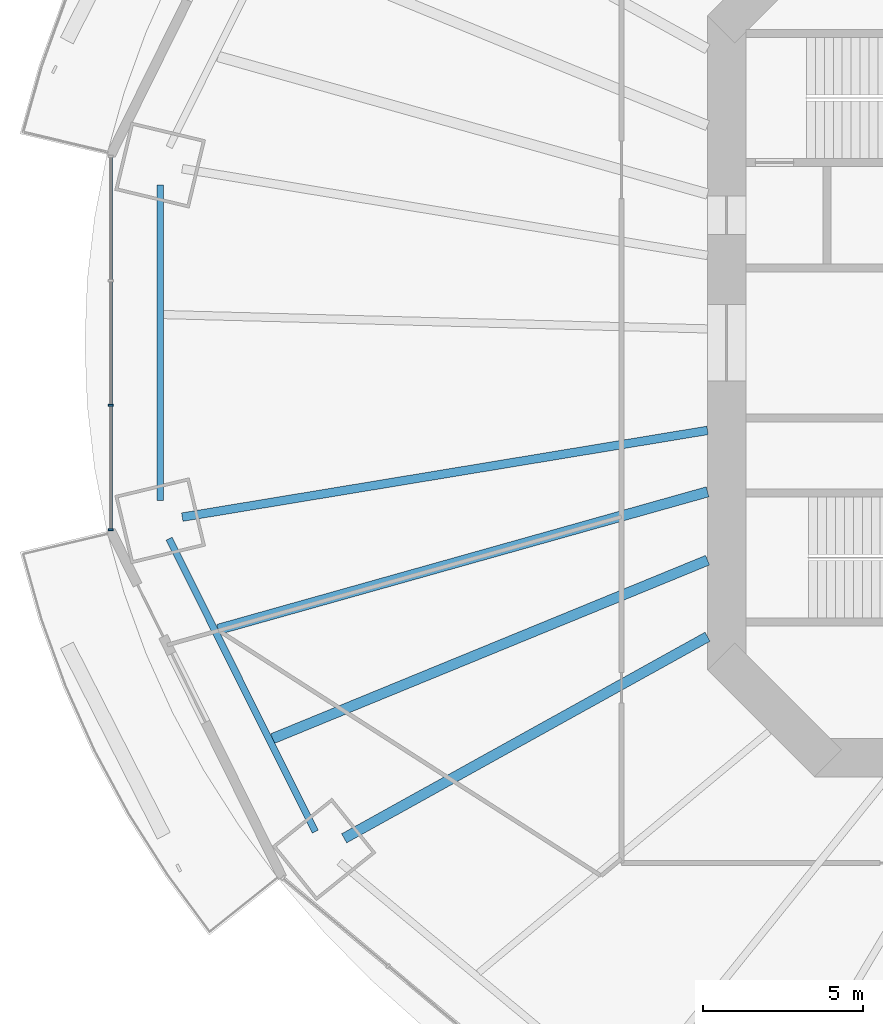
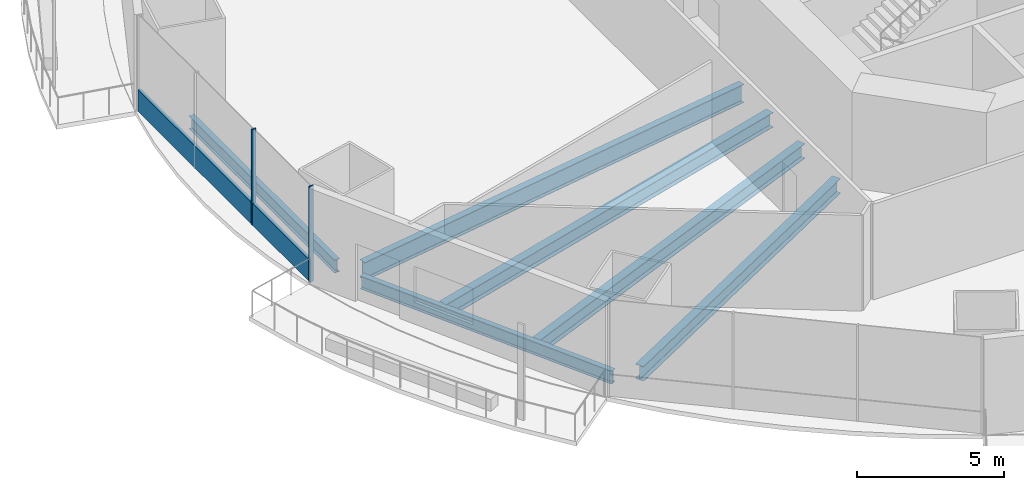
# One storey, part 3 of 23: 6 beams, 3 members, 1 element without a shape of its own.
"""IFC4 building model written with IfcOpenShell, lengths in metres."""

import ifcopenshell
import ifcopenshell.guid

model = None  # the IFC model being written
_history = None  # IfcOwnerHistory: only IFC2X3 demands one
_inside = {}  # id of a spatial element -> (the spatial element, [elements in it])
_under = {}  # id of a project, library or spatial element -> (it, [spatial elements below it])
_declared = {}  # id of a project -> (the project, [libraries it declares])
_typed = {}  # id of a type object -> (the type object, [elements of that type])
_made_of = {}  # id of a material, layer set ... -> (it, [elements and type objects made of it])


def new_model(schema):
    """Start an empty IFC model of exactly this schema.

    Asked for "IFC4X3", IfcOpenShell would pick the latest addendum, in which some entities
    have other attributes; the version numbers below select the first issue.
    IFC2X3 requires an IfcOwnerHistory on every rooted entity: one is made here for all.
    """
    global model, _history
    if schema == "IFC4X3":
        model = ifcopenshell.file(schema_version=(4, 3, 0, 0))
    else:
        model = ifcopenshell.file(schema=schema)
    _inside.clear()
    _under.clear()
    _declared.clear()
    _typed.clear()
    _made_of.clear()
    _history = None
    if model.schema == "IFC2X3":
        org = make("IfcOrganization", Name="unknown")
        user = make(
            "IfcPersonAndOrganization",
            ThePerson=make("IfcPerson", FamilyName="unknown"),
            TheOrganization=org,
        )
        app = make(
            "IfcApplication",
            ApplicationDeveloper=org,
            Version="unknown",
            ApplicationFullName="unknown",
            ApplicationIdentifier="unknown",
        )
        _history = make(
            "IfcOwnerHistory",
            OwningUser=user,
            OwningApplication=app,
            ChangeAction="ADDED",
            CreationDate=0,
        )
    return model


def make(cls, **values):
    """One entity of the class cls with the attributes given. An attribute that is None is left unset."""
    return model.create_entity(
        cls, **{name: value for name, value in values.items() if value is not None}
    )


def rooted(cls, **values):
    """An entity with a GlobalId (a new one), such as an element, a storey or a relation."""
    return make(cls, GlobalId=ifcopenshell.guid.new(), OwnerHistory=_history, **values)


def si_unit(unit_type, name, prefix=None):
    """IfcSIUnit, for example si_unit("LENGTHUNIT", "METRE", prefix="MILLI")."""
    return make("IfcSIUnit", UnitType=unit_type, Prefix=prefix, Name=name)


def assignment(units):
    """IfcUnitAssignment: the units of a project."""
    return None if units is None else make("IfcUnitAssignment", Units=units)


def point(xyz):
    """IfcCartesianPoint."""
    return None if xyz is None else make("IfcCartesianPoint", Coordinates=xyz)


def direction(xyz):
    """IfcDirection."""
    return None if xyz is None else make("IfcDirection", DirectionRatios=xyz)


def frame(location, z_axis=None, x_axis=None):
    """IfcAxis2Placement3D, a coordinate frame: its origin and axes. An axis left out is left unset."""
    return make(
        "IfcAxis2Placement3D",
        Location=point(location),
        Axis=direction(z_axis),
        RefDirection=direction(x_axis),
    )


def frame_2d(location, x_axis=None):
    """IfcAxis2Placement2D, a coordinate frame in the plane: its origin and x axis."""
    return make(
        "IfcAxis2Placement2D", Location=point(location), RefDirection=direction(x_axis)
    )


def origin():
    """The frame at (0, 0, 0) with its axes left unset."""
    return frame((0.0, 0.0, 0.0))


def origin_2d():
    """The frame at (0, 0) in the plane with its x axis left unset."""
    return frame_2d((0.0, 0.0))


def place(relative_to, where):
    """IfcLocalPlacement: puts the frame where relative to a parent placement (None: the world)."""
    return make(
        "IfcLocalPlacement", PlacementRelTo=relative_to, RelativePlacement=where
    )


def context(
    kind, dimensions, precision=None, world=None, true_north=None, identifier=None
):
    """IfcGeometricRepresentationContext, for example the 3D "Model" context."""
    return make(
        "IfcGeometricRepresentationContext",
        ContextIdentifier=identifier,
        ContextType=kind,
        CoordinateSpaceDimension=dimensions,
        Precision=precision,
        WorldCoordinateSystem=world,
        TrueNorth=true_north,
    )


def subcontext(parent, identifier, kind, view, scale=None):
    """IfcGeometricRepresentationSubContext, for example "Body" below "Model"."""
    return make(
        "IfcGeometricRepresentationSubContext",
        ContextIdentifier=identifier,
        ContextType=kind,
        ParentContext=parent,
        TargetScale=scale,
        TargetView=view,
    )


def project(units=None, contexts=None):
    """IfcProject with its units and contexts."""
    return rooted(
        "IfcProject",
        Name="project",
        RepresentationContexts=contexts,
        UnitsInContext=assignment(units),
    )


def spatial(cls, under=None, at=None, **own):
    """A site, building, storey or space (cls), placed at a placement, below another one or the project."""
    s = rooted(cls, ObjectPlacement=at, **own)
    if under is not None:
        _under.setdefault(under.id(), (under, []))[1].append(s)
    return s


def profile(cls, at=None, kind="AREA", **sizes):
    """A parametric profile (cls). Its sizes go by their IFC names, for example OverallWidth=200.0."""
    return make(cls, ProfileType=kind, Position=at, **sizes)


def rectangle(**sizes):
    """IfcRectangleProfileDef."""
    return profile("IfcRectangleProfileDef", **sizes)


def i_section(**sizes):
    """IfcIShapeProfileDef."""
    return profile("IfcIShapeProfileDef", **sizes)


def extrude(swept, where, along, depth):
    """IfcExtrudedAreaSolid: the profile swept, set in the frame where, extruded along a direction by depth."""
    return make(
        "IfcExtrudedAreaSolid",
        SweptArea=swept,
        Position=where,
        ExtrudedDirection=direction(along),
        Depth=depth,
    )


def shape(context_of_items, identifier, shape_type, items):
    """IfcShapeRepresentation: the items that make up one representation, for example the "Body"."""
    return make(
        "IfcShapeRepresentation",
        ContextOfItems=context_of_items,
        RepresentationIdentifier=identifier,
        RepresentationType=shape_type,
        Items=items,
    )


def material(Name=None, Category=None):
    """IfcMaterial."""
    return make("IfcMaterial", Name=Name, Category=Category)


def material_profile(
    of_material, cross_section, Name=None, Category=None, Priority=None
):
    """IfcMaterialProfile: a cross section and its material."""
    return make(
        "IfcMaterialProfile",
        Name=Name,
        Material=of_material,
        Profile=cross_section,
        Priority=Priority,
        Category=Category,
    )


def profile_set(profiles, Name=None, composite=None):
    """IfcMaterialProfileSet."""
    return make(
        "IfcMaterialProfileSet",
        Name=Name,
        MaterialProfiles=profiles,
        CompositeProfile=composite,
    )


def made_of(thing, what):
    """Note that an element or type object is made of a material, layer set ...; save() writes the relation."""
    if what is not None:
        _made_of.setdefault(what.id(), (what, []))[1].append(thing)
    return thing


def type_object(cls, material=None, **own):
    """A type object (cls), such as IfcWallType, which elements share."""
    return made_of(rooted(cls, **own), material)


def element(
    cls,
    number,
    at=None,
    inside=None,
    cuts=None,
    type_object=None,
    material=None,
    context=None,
    identifier="Body",
    shape_type=None,
    held_by="IfcProductDefinitionShape",
    body=None,
    shapes=None,
    **own,
):
    """One element of the class cls, such as IfcWall. Its Tag is "e" and its number.

    at: its placement. inside: the storey or other place that contains it. cuts: it is an
    opening in that element (IfcRelVoidsElement). A single representation is given by context,
    identifier, shape_type and body (its items); several are given by shapes. held_by: the class
    of the entity that holds the representations. save() writes the other relations.
    """
    e = rooted(cls, Tag="e%d" % number, ObjectPlacement=at, **own)
    if body is not None:
        shapes = [shape(context, identifier, shape_type, body)]
    if shapes is not None:
        e.Representation = make(held_by, Representations=shapes)
    if inside is not None:
        _inside.setdefault(inside.id(), (inside, []))[1].append(e)
    if cuts is not None:
        rooted(
            "IfcRelVoidsElement", RelatingBuildingElement=cuts, RelatedOpeningElement=e
        )
    if type_object is not None:
        _typed.setdefault(type_object.id(), (type_object, []))[1].append(e)
    return made_of(e, material)


def aggregate(whole, parts):
    """IfcRelAggregates: a whole, such as a stair, and the parts it consists of."""
    return rooted("IfcRelAggregates", RelatingObject=whole, RelatedObjects=parts)


def save(model, path):
    """Write the relations noted so far, then the file.

    IfcRelAggregates (storeys below a building ...), IfcRelContainedInSpatialStructure (elements
    in a storey), IfcRelDefinesByType, IfcRelAssociatesMaterial and IfcRelDeclares: one each for
    every whole, place, type object, material and project.
    """
    for whole, parts in _under.values():
        aggregate(whole, parts)
    for where, things in _inside.values():
        rooted(
            "IfcRelContainedInSpatialStructure",
            RelatedElements=things,
            RelatingStructure=where,
        )
    for kind, things in _typed.values():
        rooted("IfcRelDefinesByType", RelatedObjects=things, RelatingType=kind)
    for what, things in _made_of.values():
        rooted("IfcRelAssociatesMaterial", RelatedObjects=things, RelatingMaterial=what)
    for by, libraries in _declared.values():
        rooted("IfcRelDeclares", RelatingContext=by, RelatedDefinitions=libraries)
    model.write(path)


model = new_model("IFC4")

# Units and contexts
model_context = context("Model", 3, precision=1e-05, world=origin(), true_north=direction((0.0, 1.0)))
body_context = subcontext(model_context, "Body", "Model", "MODEL_VIEW")
ifc_project = project(units=[si_unit("LENGTHUNIT", "METRE"), si_unit("AREAUNIT", "SQUARE_METRE"), si_unit("VOLUMEUNIT", "CUBIC_METRE"), si_unit("PLANEANGLEUNIT", "RADIAN"), si_unit("MASSUNIT", "GRAM", prefix="KILO")], contexts=[model_context])

# Site, building, storey
site_placement = place(None, origin())
site = spatial("IfcSite", under=ifc_project, at=site_placement, CompositionType="ELEMENT")
building_placement = place(site_placement, origin())
building = spatial("IfcBuilding", under=site, at=building_placement, Name="Marenthal Gate Tower", CompositionType="ELEMENT")
storey_placement = place(building_placement, frame((0.0, 0.0, 62.050048828125)))
storey = spatial("IfcBuildingStorey", under=building, at=storey_placement, Name="L11", CompositionType="ELEMENT", Elevation=62.050048828125)

# Curtain wall, members
ifc_material_1 = material(Name="Aluminium and glass", Category="aluminium")
curtain_wall_type = type_object("IfcCurtainWallType", Name="Curtain wall typical low", PredefinedType="NOTDEFINED", material=ifc_material_1)
curtain_wall_placement = place(storey_placement, origin())
curtain_wall = element("IfcCurtainWall", 1, at=curtain_wall_placement, inside=storey, type_object=curtain_wall_type, Name="Curtain wall L11 bay 8", PredefinedType="NOTDEFINED")
ifc_material_2 = material(Name="Aluminium", Category="aluminium")
ifc_material_profile_1 = material_profile(ifc_material_2, rectangle(XDim=0.159912109375, YDim=0.06005859375, at=origin_2d()), Name="60x160 aluminium mullion")
ifc_profile_set_1 = profile_set([ifc_material_profile_1], Name="Aluminium")
member_type_1 = type_object("IfcMemberType", Name="Mullion 60x160 typical low", PredefinedType="MULLION", material=ifc_profile_set_1)
member_1_placement = place(storey_placement, frame((-35.303466796875, -1.95068359375, 0.0), z_axis=(0.0, 0.0, 1.0), x_axis=(1.0, 0.0, 0.0)))
member_1 = element("IfcMember", 2, at=member_1_placement, type_object=member_type_1, Name="Mullion L11 bay 8.3", PredefinedType="MULLION", context=body_context, shape_type="SweptSolid", body=[
    extrude(rectangle(XDim=0.159912109375, YDim=0.06005859375, at=origin_2d()), origin(), (0.0, 0.0, 1.0), 3.969970703125),
])
member_2_placement = place(storey_placement, frame((-35.303466796875, -5.851806640625, 0.0), z_axis=(0.0, 0.0, 1.0), x_axis=(1.0, 0.0, 0.0)))
member_2 = element("IfcMember", 3, at=member_2_placement, type_object=member_type_1, Name="Mullion L11 bay 8.4", PredefinedType="MULLION", context=body_context, shape_type="SweptSolid", body=[
    extrude(rectangle(XDim=0.159912109375, YDim=0.06005859375, at=origin_2d()), origin(), (0.0, 0.0, 1.0), 3.969970703125),
])
ifc_material_3 = material(Name="Aluminium", Category="aluminium")
ifc_material_profile_2 = material_profile(ifc_material_3, rectangle(XDim=0.1201171875, YDim=0.89990234375, at=origin_2d()), Name="120x900 aluminium transom")
ifc_profile_set_2 = profile_set([ifc_material_profile_2], Name="Aluminium")
member_type_2 = type_object("IfcMemberType", Name="Transom 120x900 typical low", PredefinedType="USERDEFINED", material=ifc_profile_set_2)
member_3_placement = place(storey_placement, frame((-35.303466796875, 5.82177734375, 0.449951171875), z_axis=(0.0, -1.0, 0.0), x_axis=(1.0, 0.0, 0.0)))
member_3 = element("IfcMember", 4, at=member_3_placement, type_object=member_type_2, Name="Transom L11 bay 8", ObjectType="TRANSOM", PredefinedType="USERDEFINED", context=body_context, shape_type="SweptSolid", body=[
    extrude(rectangle(XDim=0.1201171875, YDim=0.89990234375, at=origin_2d()), origin(), (0.0, 0.0, 1.0), 11.6435546875),
])
aggregate(curtain_wall, [member_1, member_2, member_3])

# Beams
ifc_material_4 = material(Name="Steel S355", Category="steel")
ifc_material_profile_3 = material_profile(ifc_material_4, i_section(OverallWidth=0.2119140625, OverallDepth=0.5439453125, WebThickness=0.01318359375, FlangeThickness=0.021240234375, FilletRadius=0.0126953125, at=origin_2d()), Name="W530X123")
ifc_profile_set_3 = profile_set([ifc_material_profile_3], Name="Steel S355")
beam_type_1 = type_object("IfcBeamType", Name="W530X123 beam", PredefinedType="BEAM", material=ifc_profile_set_3)
beam_1_placement = place(storey_placement, frame((-33.753662109375, 4.9423828125, -0.4521484375), z_axis=(0.0, -1.0, 0.0), x_axis=(1.0, 0.0, 0.0)))
element("IfcBeam", 5, at=beam_1_placement, inside=storey, type_object=beam_type_1, Name="BM-L11-48", PredefinedType="BEAM", context=body_context, shape_type="SweptSolid", body=[
    extrude(i_section(OverallWidth=0.2119140625, OverallDepth=0.5439453125, WebThickness=0.01318359375, FlangeThickness=0.021240234375, FilletRadius=0.0126953125, at=origin_2d()), origin(), (0.0, 0.0, 1.0), 9.884765625),
])
beam_2_placement = place(storey_placement, frame((-33.472900390625, -6.136474609375, -0.4521484375), z_axis=(0.446499206551, -0.894784028998, 0.0), x_axis=(0.894784028998, 0.446499206551, 0.0)))
element("IfcBeam", 6, at=beam_2_placement, inside=storey, type_object=beam_type_1, Name="BM-L11-49", PredefinedType="BEAM", context=body_context, shape_type="SweptSolid", body=[
    extrude(i_section(OverallWidth=0.2119140625, OverallDepth=0.5439453125, WebThickness=0.01318359375, FlangeThickness=0.021240234375, FilletRadius=0.0126953125, at=origin_2d()), origin(), (0.0, 0.0, 1.0), 10.25439453125),
])
ifc_material_5 = material(Name="Steel S355", Category="steel")
ifc_material_profile_4 = material_profile(ifc_material_5, i_section(OverallWidth=0.324951171875, OverallDepth=0.612060546875, WebThickness=0.0126953125, FlangeThickness=0.01904296875, FilletRadius=0.0126953125, at=origin_2d()), Name="W610X155")
ifc_profile_set_4 = profile_set([ifc_material_profile_4], Name="Steel S355")
beam_type_2 = type_object("IfcBeamType", Name="W610X155 beam", PredefinedType="BEAM", material=ifc_profile_set_4)
beam_3_placement = place(storey_placement, frame((-27.9873046875, -15.52392578125, -0.486083984375), z_axis=(0.874477229212, 0.485066568204, 0.0), x_axis=(-0.485066568204, 0.874477229212, 0.0)))
element("IfcBeam", 7, at=beam_3_placement, inside=storey, type_object=beam_type_2, Name="BM-L11-10", PredefinedType="BEAM", context=body_context, shape_type="SweptSolid", body=[
    extrude(i_section(OverallWidth=0.324951171875, OverallDepth=0.612060546875, WebThickness=0.0126953125, FlangeThickness=0.01904296875, FilletRadius=0.0126953125, at=origin_2d()), origin(), (0.0, 0.0, 1.0), 13.021728515625),
])
beam_4_placement = place(storey_placement, frame((-31.93701171875, -8.977294921875, -0.486083984375), z_axis=(0.962687377479, 0.270615988521, 0.0), x_axis=(-0.270615988521, 0.962687377479, 0.0)))
element("IfcBeam", 8, at=beam_4_placement, inside=storey, type_object=beam_type_2, Name="BM-L11-29", PredefinedType="BEAM", context=body_context, shape_type="SweptSolid", body=[
    extrude(i_section(OverallWidth=0.324951171875, OverallDepth=0.612060546875, WebThickness=0.0126953125, FlangeThickness=0.01904296875, FilletRadius=0.0126953125, at=origin_2d()), origin(), (0.0, 0.0, 1.0), 15.931396484375),
])
beam_5_placement = place(storey_placement, frame((-30.2294921875, -12.39892578125, -0.486083984375), z_axis=(0.925197564596, 0.379485792178, 0.0), x_axis=(-0.379485792178, 0.925197564596, 0.0)))
element("IfcBeam", 9, at=beam_5_placement, inside=storey, type_object=beam_type_2, Name="BM-L11-30", PredefinedType="BEAM", context=body_context, shape_type="SweptSolid", body=[
    extrude(i_section(OverallWidth=0.324951171875, OverallDepth=0.612060546875, WebThickness=0.0126953125, FlangeThickness=0.01904296875, FilletRadius=0.0126953125, at=origin_2d()), origin(), (0.0, 0.0, 1.0), 14.7314453125),
])
ifc_material_6 = material(Name="Steel S355", Category="steel")
ifc_material_profile_5 = material_profile(ifc_material_6, i_section(OverallWidth=0.26708984375, OverallDepth=0.761962890625, WebThickness=0.014404296875, FlangeThickness=0.021484375, FilletRadius=0.0166015625, at=origin_2d()), Name="W760X173")
ifc_profile_set_5 = profile_set([ifc_material_profile_5], Name="Steel S355")
beam_type_3 = type_object("IfcBeamType", Name="W760X173 beam", PredefinedType="BEAM", material=ifc_profile_set_5)
beam_6_placement = place(storey_placement, frame((-33.06005859375, -5.458984375, -0.56103515625), z_axis=(0.986638832435, 0.16292272503, 0.0), x_axis=(-0.16292272503, 0.986638832435, 0.0)))
element("IfcBeam", 10, at=beam_6_placement, inside=storey, type_object=beam_type_3, Name="BM-L11-09", PredefinedType="BEAM", context=body_context, shape_type="SweptSolid", body=[
    extrude(i_section(OverallWidth=0.26708984375, OverallDepth=0.761962890625, WebThickness=0.014404296875, FlangeThickness=0.021484375, FilletRadius=0.0166015625, at=origin_2d()), origin(), (0.0, 0.0, 1.0), 16.682861328125),
])

save(model, "model.ifc")
